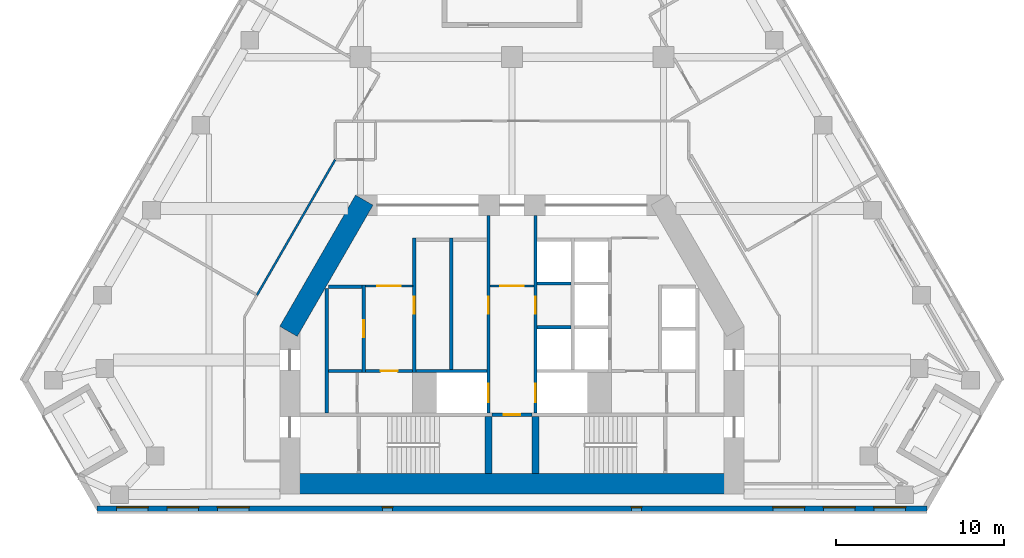
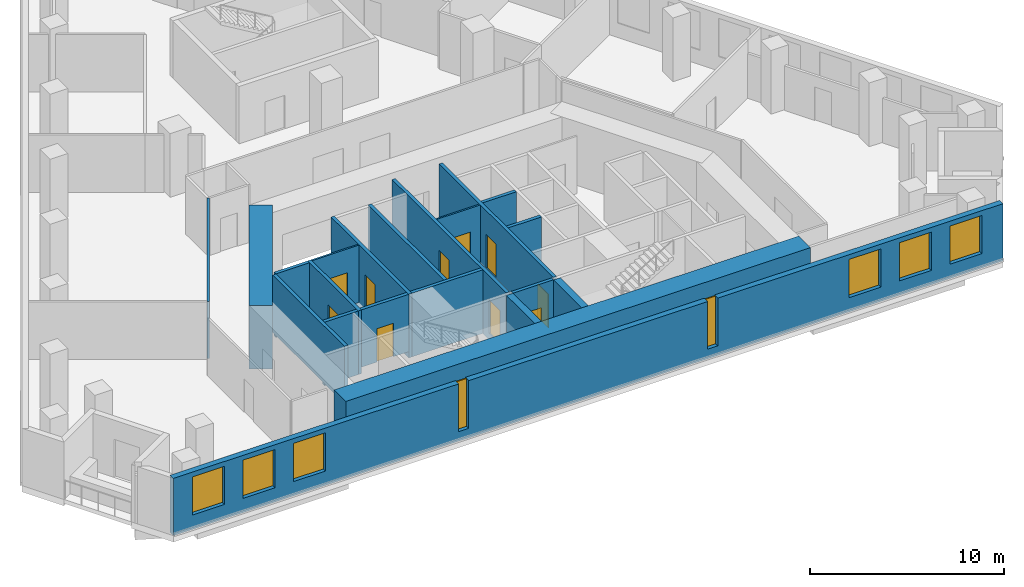
# One storey, part 4 of 9: 21 walls, 10 doors, 8 windows, 18 openings.
"""IFC4 building model written with IfcOpenShell, lengths in metres."""

from ifc_helpers import new_model, si_unit, direction, frame, frame_2d, origin, place, context, subcontext, project, spatial, rectangle, extrude, material, layer, layer_set, type_object, element, fill, save


model = new_model("IFC4")

# Units and contexts
model_context = context("Model", 3, precision=1e-05, world=origin(), true_north=direction((0.0, 1.0)))
body_context = subcontext(model_context, "Body", "Model", "MODEL_VIEW")
ifc_project = project(units=[si_unit("LENGTHUNIT", "METRE"), si_unit("AREAUNIT", "SQUARE_METRE"), si_unit("VOLUMEUNIT", "CUBIC_METRE"), si_unit("PLANEANGLEUNIT", "RADIAN"), si_unit("MASSUNIT", "GRAM", prefix="KILO")], contexts=[model_context])

# Site, building, storey
site_placement = place(None, origin())
site = spatial("IfcSite", under=ifc_project, at=site_placement, CompositionType="ELEMENT")
building_placement = place(site_placement, origin())
building = spatial("IfcBuilding", under=site, at=building_placement, Name="Fogline Exchange Tower", CompositionType="ELEMENT")
storey_placement = place(building_placement, frame((0.0, 0.0, 142.89990234375)))
storey = spatial("IfcBuildingStorey", under=building, at=storey_placement, Name="L31", CompositionType="ELEMENT", Elevation=142.89990234375)

# Wall, opening, door
ifc_material_1 = material(Name="Blockwork partition", Category="masonry")
ifc_layer_1 = layer(ifc_material_1, 0.10009765625)
ifc_layer_set_1 = layer_set([ifc_layer_1], Name="CW10")
wall_type_1 = type_object("IfcWallType", Name="CW10", PredefinedType="PARTITIONING", material=ifc_layer_set_1)
wall_1_placement = place(storey_placement, frame((-8.699951171875, 13.39990234375, 0.0), z_axis=(0.0, 0.0, 1.0), x_axis=(1.0, 0.0, 0.0)))
wall_1 = element("IfcWall", 1, at=wall_1_placement, inside=storey, type_object=wall_type_1, Name="Lift lobby partition", PredefinedType="PARTITIONING", context=body_context, shape_type="SweptSolid", body=[
    extrude(rectangle(XDim=2.800048828125, YDim=0.10009765625, at=frame_2d((1.39990234375, 0.0))), origin(), (0.0, 0.0, 1.0), 3.60009765625),
])
opening_1_placement = place(wall_1_placement, frame((0.699951171875, 0.0, 0.0)))
opening_1 = element("IfcOpeningElement", 2, at=opening_1_placement, cuts=wall_1, Name="Opening T10-C006", PredefinedType="OPENING", context=body_context, shape_type="SweptSolid", body=[
    extrude(rectangle(XDim=1.39990234375, YDim=2.10009765625, at=frame_2d((0.699951171875, 1.050048828125))), frame((0.0, 0.06005859375, 0.0), z_axis=(0.0, -1.0, 0.0), x_axis=(1.0, 0.0, 0.0)), (0.0, 0.0, 1.0), 0.1201171875),
])
ifc_material_2 = material(Name="Steel and timber fire door", Category="steel")
door_type_1 = type_object("IfcDoorType", Name="D-LB1", OperationType="DOUBLE_DOOR_SINGLE_SWING", PredefinedType="DOOR", material=ifc_material_2)
door_1_placement = place(opening_1_placement, frame((1.39990234375, 0.0, 0.0), z_axis=(0.0, 0.0, 1.0), x_axis=(-1.0, 0.0, 0.0)))
door_1 = element("IfcDoor", 3, at=door_1_placement, inside=storey, type_object=door_type_1, Name="Door to lift lobby", OperationType="DOUBLE_DOOR_SINGLE_SWING", OverallHeight=2.10009765625, OverallWidth=1.39990234375, PredefinedType="DOOR", context=body_context, shape_type="SweptSolid", body=[
    extrude(rectangle(XDim=1.39990234375, YDim=2.10009765625, at=frame_2d((0.699951171875, 1.050048828125))), frame((0.0, 0.02490234375, 0.0), z_axis=(0.0, -1.0, 0.0), x_axis=(1.0, 0.0, 0.0)), (0.0, 0.0, 1.0), 0.050048828125),
])
fill(opening_1, door_1)

wall_2_placement = place(storey_placement, frame((-1.300048828125, 13.39990234375, 0.0), z_axis=(0.0, 0.0, 1.0), x_axis=(1.0, 0.0, 0.0)))
wall_2 = element("IfcWall", 4, at=wall_2_placement, inside=storey, type_object=wall_type_1, Name="Lift lobby partition", PredefinedType="PARTITIONING", context=body_context, shape_type="SweptSolid", body=[
    extrude(rectangle(XDim=2.60009765625, YDim=0.10009765625, at=frame_2d((1.300048828125, 0.0))), origin(), (0.0, 0.0, 1.0), 3.60009765625),
])
opening_2_placement = place(wall_2_placement, frame((0.60009765625, 0.0, 0.0)))
opening_2 = element("IfcOpeningElement", 5, at=opening_2_placement, cuts=wall_2, Name="Opening T10-C018", PredefinedType="OPENING", context=body_context, shape_type="SweptSolid", body=[
    extrude(rectangle(XDim=1.39990234375, YDim=2.10009765625, at=frame_2d((0.699951171875, 1.050048828125))), frame((0.0, 0.06005859375, 0.0), z_axis=(0.0, -1.0, 0.0), x_axis=(1.0, 0.0, 0.0)), (0.0, 0.0, 1.0), 0.1201171875),
])
door_2_placement = place(opening_2_placement, origin())
door_2 = element("IfcDoor", 6, at=door_2_placement, inside=storey, type_object=door_type_1, Name="Door to firefighting lift lobby", OperationType="DOUBLE_DOOR_SINGLE_SWING", OverallHeight=2.10009765625, OverallWidth=1.39990234375, PredefinedType="DOOR", context=body_context, shape_type="SweptSolid", body=[
    extrude(rectangle(XDim=1.39990234375, YDim=2.10009765625, at=frame_2d((0.699951171875, 1.050048828125))), frame((0.0, 0.02490234375, 0.0), z_axis=(0.0, -1.0, 0.0), x_axis=(1.0, 0.0, 0.0)), (0.0, 0.0, 1.0), 0.050048828125),
])
fill(opening_2, door_2)

# Wall
ifc_material_3 = material(Name="Concrete C40", Category="concrete")
ifc_layer_2 = layer(ifc_material_3, 0.199951171875)
ifc_layer_set_2 = layer_set([ifc_layer_2], Name="CW20")
wall_type_2 = type_object("IfcWallType", Name="CW20", PredefinedType="SOLIDWALL", material=ifc_layer_set_2)
wall_3_placement = place(storey_placement, frame((-11.0, 5.85009765625, 0.0), z_axis=(0.0, 0.0, 1.0), x_axis=(0.0, 1.0, 0.0)))
element("IfcWall", 7, at=wall_3_placement, inside=storey, type_object=wall_type_2, Name="Service room wall", PredefinedType="SOLIDWALL", context=body_context, shape_type="SweptSolid", body=[
    extrude(rectangle(XDim=7.39990234375, YDim=0.199951171875, at=frame_2d((3.699951171875, 0.0))), origin(), (0.0, 0.0, 1.0), 3.60009765625),
])

# Wall, opening, door
wall_4_placement = place(storey_placement, frame((-8.699951171875, 8.35009765625, 0.0), z_axis=(0.0, 0.0, 1.0), x_axis=(1.0, 0.0, 0.0)))
wall_4 = element("IfcWall", 8, at=wall_4_placement, inside=storey, type_object=wall_type_2, Name="WC wall", PredefinedType="SOLIDWALL", context=body_context, shape_type="SweptSolid", body=[
    extrude(rectangle(XDim=2.800048828125, YDim=0.199951171875, at=frame_2d((1.39990234375, 0.0))), origin(), (0.0, 0.0, 1.0), 3.60009765625),
])
opening_3_placement = place(wall_4_placement, frame((0.89990234375, 0.0, 0.0)))
opening_3 = element("IfcOpeningElement", 9, at=opening_3_placement, cuts=wall_4, Name="Opening T10-C007", PredefinedType="OPENING", context=body_context, shape_type="SweptSolid", body=[
    extrude(rectangle(XDim=1.0, YDim=2.10009765625, at=frame_2d((0.5, 1.050048828125))), frame((0.0, 0.10986328125, 0.0), z_axis=(0.0, -1.0, 0.0), x_axis=(1.0, 0.0, 0.0)), (0.0, 0.0, 1.0), 0.219970703125),
])
door_type_2 = type_object("IfcDoorType", Name="D-WC1", OperationType="SINGLE_SWING_LEFT", PredefinedType="DOOR", material=ifc_material_2)
door_3_placement = place(opening_3_placement, frame((1.0, 0.0, 0.0), z_axis=(0.0, 0.0, 1.0), x_axis=(-1.0, 0.0, 0.0)))
door_3 = element("IfcDoor", 10, at=door_3_placement, inside=storey, type_object=door_type_2, Name="Door to Men's WC", OperationType="SINGLE_SWING_LEFT", OverallHeight=2.10009765625, OverallWidth=1.0, PredefinedType="DOOR", context=body_context, shape_type="SweptSolid", body=[
    extrude(rectangle(XDim=1.0, YDim=2.10009765625, at=frame_2d((0.5, 1.050048828125))), frame((0.0, 0.02490234375, 0.0), z_axis=(0.0, -1.0, 0.0), x_axis=(1.0, 0.0, 0.0)), (0.0, 0.0, 1.0), 0.050048828125),
])
fill(opening_3, door_3)

ifc_layer_3 = layer(ifc_material_3, 0.199951171875)
ifc_layer_set_3 = layer_set([ifc_layer_3], Name="CW20R")
wall_type_3 = type_object("IfcWallType", Name="CW20R", PredefinedType="SOLIDWALL", material=ifc_layer_set_3)
wall_5_placement = place(storey_placement, frame((-1.199951171875, 5.75, -0.39990234375), z_axis=(0.0, 0.0, 1.0), x_axis=(1.0, 0.0, 0.0)))
wall_5 = element("IfcWall", 11, at=wall_5_placement, inside=storey, type_object=wall_type_3, Name="Stair enclosure wall", PredefinedType="SOLIDWALL", context=body_context, shape_type="SweptSolid", body=[
    extrude(rectangle(XDim=2.39990234375, YDim=0.199951171875, at=frame_2d((1.199951171875, 0.0))), origin(), (0.0, 0.0, 1.0), 4.0),
])
opening_4_placement = place(wall_5_placement, frame((0.699951171875, 0.0, 0.39990234375)))
opening_4 = element("IfcOpeningElement", 12, at=opening_4_placement, cuts=wall_5, Name="Opening T10-C005", PredefinedType="OPENING", context=body_context, shape_type="SweptSolid", body=[
    extrude(rectangle(XDim=1.0, YDim=2.10009765625, at=frame_2d((0.5, 1.050048828125))), frame((0.0, 0.10986328125, 0.0), z_axis=(0.0, -1.0, 0.0), x_axis=(1.0, 0.0, 0.0)), (0.0, 0.0, 1.0), 0.219970703125),
])
door_type_3 = type_object("IfcDoorType", Name="D-RM1", OperationType="SINGLE_SWING_LEFT", PredefinedType="DOOR", material=ifc_material_2)
door_4_placement = place(opening_4_placement, frame((1.0, 0.0, 0.0), z_axis=(0.0, 0.0, 1.0), x_axis=(-1.0, 0.0, 0.0)))
door_4 = element("IfcDoor", 13, at=door_4_placement, inside=storey, type_object=door_type_3, Name="Door to Archive Store", OperationType="SINGLE_SWING_RIGHT", OverallHeight=2.10009765625, OverallWidth=1.0, PredefinedType="DOOR", context=body_context, shape_type="SweptSolid", body=[
    extrude(rectangle(XDim=1.0, YDim=2.10009765625, at=frame_2d((0.5, 1.050048828125))), frame((0.0, 0.02490234375, 0.0), z_axis=(0.0, -1.0, 0.0), x_axis=(1.0, 0.0, 0.0)), (0.0, 0.0, 1.0), 0.050048828125),
])
fill(opening_4, door_4)

ifc_layer_4 = layer(ifc_material_3, 0.199951171875)
ifc_layer_set_4 = layer_set([ifc_layer_4], Name="CW20S")
wall_type_4 = type_object("IfcWallType", Name="CW20S", PredefinedType="SOLIDWALL", material=ifc_layer_set_4)
wall_6_placement = place(storey_placement, frame((-8.800048828125, 8.25, -0.39990234375), z_axis=(0.0, 0.0, 1.0), x_axis=(0.0, 1.0, 0.0)))
wall_6 = element("IfcWall", 14, at=wall_6_placement, inside=storey, type_object=wall_type_4, Name="Lift shaft wall", PredefinedType="SOLIDWALL", context=body_context, shape_type="SweptSolid", body=[
    extrude(rectangle(XDim=5.199951171875, YDim=0.199951171875, at=frame_2d((2.60009765625, 0.0))), origin(), (0.0, 0.0, 1.0), 4.0),
])
opening_5_placement = place(wall_6_placement, frame((2.10009765625, 0.0, 0.39990234375)))
opening_5 = element("IfcOpeningElement", 15, at=opening_5_placement, cuts=wall_6, Name="Opening T10-C001", PredefinedType="OPENING", context=body_context, shape_type="SweptSolid", body=[
    extrude(rectangle(XDim=1.0, YDim=2.10009765625, at=frame_2d((0.5, 1.050048828125))), frame((0.0, 0.10986328125, 0.0), z_axis=(0.0, -1.0, 0.0), x_axis=(1.0, 0.0, 0.0)), (0.0, 0.0, 1.0), 0.219970703125),
])
door_5_placement = place(opening_5_placement, origin())
door_5 = element("IfcDoor", 16, at=door_5_placement, inside=storey, type_object=door_type_3, Name="Door to Reprographics Room", OperationType="SINGLE_SWING_RIGHT", OverallHeight=2.10009765625, OverallWidth=1.0, PredefinedType="DOOR", context=body_context, shape_type="SweptSolid", body=[
    extrude(rectangle(XDim=1.0, YDim=2.10009765625, at=frame_2d((0.5, 1.050048828125))), frame((0.0, 0.02490234375, 0.0), z_axis=(0.0, -1.0, 0.0), x_axis=(1.0, 0.0, 0.0)), (0.0, 0.0, 1.0), 0.050048828125),
])
fill(opening_5, door_5)

wall_7_placement = place(storey_placement, frame((-5.800048828125, 8.25, -0.39990234375), z_axis=(0.0, 0.0, 1.0), x_axis=(0.0, 1.0, 0.0)))
wall_7 = element("IfcWall", 17, at=wall_7_placement, inside=storey, type_object=wall_type_4, Name="Lift shaft wall", PredefinedType="SOLIDWALL", context=body_context, shape_type="SweptSolid", body=[
    extrude(rectangle(XDim=8.0, YDim=0.199951171875, at=frame_2d((4.0, 0.0))), origin(), (0.0, 0.0, 1.0), 4.0),
])
opening_6_placement = place(wall_7_placement, frame((3.5, 0.0, 0.39990234375)))
opening_6 = element("IfcOpeningElement", 18, at=opening_6_placement, cuts=wall_7, Name="Opening T10-C002", PredefinedType="OPENING", context=body_context, shape_type="SweptSolid", body=[
    extrude(rectangle(XDim=1.0, YDim=2.10009765625, at=frame_2d((0.5, 1.050048828125))), frame((0.0, 0.10986328125, 0.0), z_axis=(0.0, -1.0, 0.0), x_axis=(1.0, 0.0, 0.0)), (0.0, 0.0, 1.0), 0.219970703125),
])
door_6_placement = place(opening_6_placement, frame((1.0, 0.0, 0.0), z_axis=(0.0, 0.0, 1.0), x_axis=(-1.0, 0.0, 0.0)))
door_6 = element("IfcDoor", 19, at=door_6_placement, inside=storey, type_object=door_type_3, Name="Door to Plant Room", OperationType="SINGLE_SWING_RIGHT", OverallHeight=2.10009765625, OverallWidth=1.0, PredefinedType="DOOR", context=body_context, shape_type="SweptSolid", body=[
    extrude(rectangle(XDim=1.0, YDim=2.10009765625, at=frame_2d((0.5, 1.050048828125))), frame((0.0, 0.02490234375, 0.0), z_axis=(0.0, -1.0, 0.0), x_axis=(1.0, 0.0, 0.0)), (0.0, 0.0, 1.0), 0.050048828125),
])
fill(opening_6, door_6)

# Wall
wall_8_placement = place(storey_placement, frame((-3.60009765625, 8.449951171875, -0.39990234375), z_axis=(0.0, 0.0, 1.0), x_axis=(0.0, 1.0, 0.0)))
element("IfcWall", 20, at=wall_8_placement, inside=storey, type_object=wall_type_4, Name="Lift shaft wall", PredefinedType="SOLIDWALL", context=body_context, shape_type="SweptSolid", body=[
    extrude(rectangle(XDim=7.800048828125, YDim=0.199951171875, at=frame_2d((3.89990234375, 0.0))), origin(), (0.0, 0.0, 1.0), 4.0),
])

# Wall, openings, doors
wall_9_placement = place(storey_placement, frame((-1.39990234375, 5.85009765625, -0.39990234375), z_axis=(0.0, 0.0, 1.0), x_axis=(0.0, 1.0, 0.0)))
wall_9 = element("IfcWall", 21, at=wall_9_placement, inside=storey, type_object=wall_type_4, Name="Lift lobby wall", PredefinedType="SOLIDWALL", context=body_context, shape_type="SweptSolid", body=[
    extrude(rectangle(XDim=11.75, YDim=0.199951171875, at=frame_2d((5.875, 0.0))), origin(), (0.0, 0.0, 1.0), 4.0),
])
opening_7_placement = place(wall_9_placement, frame((0.64990234375, 0.0, 0.39990234375)))
opening_7 = element("IfcOpeningElement", 22, at=opening_7_placement, cuts=wall_9, Name="Opening T10-LD01", PredefinedType="OPENING", context=body_context, shape_type="SweptSolid", body=[
    extrude(rectangle(XDim=1.10009765625, YDim=2.10009765625, at=frame_2d((0.550048828125, 1.050048828125))), frame((0.0, 0.10986328125, 0.0), z_axis=(0.0, -1.0, 0.0), x_axis=(1.0, 0.0, 0.0)), (0.0, 0.0, 1.0), 0.219970703125),
])
opening_8_placement = place(wall_9_placement, frame((5.89990234375, 0.0, 0.39990234375)))
opening_8 = element("IfcOpeningElement", 23, at=opening_8_placement, cuts=wall_9, Name="Opening T10-C003", PredefinedType="OPENING", context=body_context, shape_type="SweptSolid", body=[
    extrude(rectangle(XDim=1.0, YDim=2.10009765625, at=frame_2d((0.5, 1.050048828125))), frame((0.0, 0.10986328125, 0.0), z_axis=(0.0, -1.0, 0.0), x_axis=(1.0, 0.0, 0.0)), (0.0, 0.0, 1.0), 0.219970703125),
])
door_7_placement = place(opening_8_placement, origin())
door_7 = element("IfcDoor", 24, at=door_7_placement, inside=storey, type_object=door_type_3, Name="Door to Archive", OperationType="SINGLE_SWING_LEFT", OverallHeight=2.10009765625, OverallWidth=1.0, PredefinedType="DOOR", context=body_context, shape_type="SweptSolid", body=[
    extrude(rectangle(XDim=1.0, YDim=2.10009765625, at=frame_2d((0.5, 1.050048828125))), frame((0.0, 0.02490234375, 0.0), z_axis=(0.0, -1.0, 0.0), x_axis=(1.0, 0.0, 0.0)), (0.0, 0.0, 1.0), 0.050048828125),
])
fill(opening_8, door_7)
door_type_4 = type_object("IfcDoorType", Name="LD2", OperationType="SLIDING_TO_RIGHT", PredefinedType="DOOR", material=ifc_material_2)
door_8_placement = place(opening_7_placement, origin())
door_8 = element("IfcDoor", 25, at=door_8_placement, inside=storey, type_object=door_type_4, Name="Landing door FF1", OperationType="SLIDING_TO_RIGHT", OverallHeight=2.10009765625, OverallWidth=1.10009765625, PredefinedType="DOOR", context=body_context, shape_type="SweptSolid", body=[
    extrude(rectangle(XDim=1.10009765625, YDim=2.10009765625, at=frame_2d((0.550048828125, 1.050048828125))), frame((0.0, 0.02490234375, 0.0), z_axis=(0.0, -1.0, 0.0), x_axis=(1.0, 0.0, 0.0)), (0.0, 0.0, 1.0), 0.050048828125),
])
fill(opening_7, door_8)

wall_10_placement = place(storey_placement, frame((1.39990234375, 5.85009765625, -0.39990234375), z_axis=(0.0, 0.0, 1.0), x_axis=(0.0, 1.0, 0.0)))
wall_10 = element("IfcWall", 26, at=wall_10_placement, inside=storey, type_object=wall_type_4, Name="Lift lobby wall", PredefinedType="SOLIDWALL", context=body_context, shape_type="SweptSolid", body=[
    extrude(rectangle(XDim=11.75, YDim=0.199951171875, at=frame_2d((5.875, 0.0))), origin(), (0.0, 0.0, 1.0), 4.0),
])
opening_9_placement = place(wall_10_placement, frame((0.64990234375, 0.0, 0.39990234375)))
opening_9 = element("IfcOpeningElement", 27, at=opening_9_placement, cuts=wall_10, Name="Opening T10-LD05", PredefinedType="OPENING", context=body_context, shape_type="SweptSolid", body=[
    extrude(rectangle(XDim=1.10009765625, YDim=2.10009765625, at=frame_2d((0.550048828125, 1.050048828125))), frame((0.0, 0.10986328125, 0.0), z_axis=(0.0, -1.0, 0.0), x_axis=(1.0, 0.0, 0.0)), (0.0, 0.0, 1.0), 0.219970703125),
])
opening_10_placement = place(wall_10_placement, frame((5.89990234375, 0.0, 0.39990234375)))
opening_10 = element("IfcOpeningElement", 28, at=opening_10_placement, cuts=wall_10, Name="Opening T10-C004", PredefinedType="OPENING", context=body_context, shape_type="SweptSolid", body=[
    extrude(rectangle(XDim=1.0, YDim=2.10009765625, at=frame_2d((0.5, 1.050048828125))), frame((0.0, 0.10986328125, 0.0), z_axis=(0.0, -1.0, 0.0), x_axis=(1.0, 0.0, 0.0)), (0.0, 0.0, 1.0), 0.219970703125),
])
door_9_placement = place(opening_10_placement, frame((1.0, 0.0, 0.0), z_axis=(0.0, 0.0, 1.0), x_axis=(-1.0, 0.0, 0.0)))
door_9 = element("IfcDoor", 29, at=door_9_placement, inside=storey, type_object=door_type_3, Name="Door to Library Store", OperationType="SINGLE_SWING_RIGHT", OverallHeight=2.10009765625, OverallWidth=1.0, PredefinedType="DOOR", context=body_context, shape_type="SweptSolid", body=[
    extrude(rectangle(XDim=1.0, YDim=2.10009765625, at=frame_2d((0.5, 1.050048828125))), frame((0.0, 0.02490234375, 0.0), z_axis=(0.0, -1.0, 0.0), x_axis=(1.0, 0.0, 0.0)), (0.0, 0.0, 1.0), 0.050048828125),
])
fill(opening_10, door_9)
door_10_placement = place(opening_9_placement, origin())
door_10 = element("IfcDoor", 30, at=door_10_placement, inside=storey, type_object=door_type_4, Name="Landing door FF2", OperationType="SLIDING_TO_RIGHT", OverallHeight=2.10009765625, OverallWidth=1.10009765625, PredefinedType="DOOR", context=body_context, shape_type="SweptSolid", body=[
    extrude(rectangle(XDim=1.10009765625, YDim=2.10009765625, at=frame_2d((0.550048828125, 1.050048828125))), frame((0.0, 0.02490234375, 0.0), z_axis=(0.0, -1.0, 0.0), x_axis=(1.0, 0.0, 0.0)), (0.0, 0.0, 1.0), 0.050048828125),
])
fill(opening_9, door_10)

# Walls
wall_11_placement = place(storey_placement, frame((-10.89990234375, 8.35009765625, -0.39990234375), z_axis=(0.0, 0.0, 1.0), x_axis=(1.0, 0.0, 0.0)))
element("IfcWall", 31, at=wall_11_placement, inside=storey, type_object=wall_type_4, Name="Lift shaft wall", PredefinedType="SOLIDWALL", context=body_context, shape_type="SweptSolid", body=[
    extrude(rectangle(XDim=2.0, YDim=0.199951171875, at=frame_2d((1.0, 0.0))), origin(), (0.0, 0.0, 1.0), 4.0),
])
wall_12_placement = place(storey_placement, frame((-5.699951171875, 8.35009765625, -0.39990234375), z_axis=(0.0, 0.0, 1.0), x_axis=(1.0, 0.0, 0.0)))
element("IfcWall", 32, at=wall_12_placement, inside=storey, type_object=wall_type_4, Name="Lift shaft wall", PredefinedType="SOLIDWALL", context=body_context, shape_type="SweptSolid", body=[
    extrude(rectangle(XDim=4.199951171875, YDim=0.199951171875, at=frame_2d((2.10009765625, 0.0))), origin(), (0.0, 0.0, 1.0), 4.0),
])
for number, where, z_axis, x_axis, name in (
    (33, (-10.89990234375, 13.35009765625, -0.39990234375), (0.0, 0.0, 1.0), (1.0, 0.0, 0.0), "Lift shaft wall"),
    (34, (1.5, 10.949951171875, -0.39990234375), (0.0, 0.0, 1.0), (1.0, 0.0, 0.0), "Lift shaft wall"),
    (35, (1.5, 13.550048828125, -0.39990234375), (0.0, 0.0, 1.0), (1.0, 0.0, 0.0), "Lift shaft wall"),
):
    element("IfcWall", number, at=place(storey_placement, frame(where, z_axis=z_axis, x_axis=x_axis)), inside=storey, type_object=wall_type_4, Name=name, PredefinedType="SOLIDWALL", context=body_context, shape_type="SweptSolid", body=[
        extrude(rectangle(XDim=2.0, YDim=0.199951171875, at=frame_2d((1.0, 0.0))), origin(), (0.0, 0.0, 1.0), 4.0),
    ])
ifc_layer_5 = layer(ifc_material_3, 0.39990234375)
ifc_layer_set_5 = layer_set([ifc_layer_5], Name="CW40R")
wall_type_5 = type_object("IfcWallType", Name="CW40R", PredefinedType="SOLIDWALL", material=ifc_layer_set_5)
for number, where, z_axis, x_axis, name in (
    (36, (-1.39990234375, 2.25, -0.39990234375), (0.0, 0.0, 1.0), (0.0, 1.0, 0.0), "Stair and lift shaft wall"),
    (37, (1.39990234375, 2.25, -0.39990234375), (0.0, 0.0, 1.0), (0.0, 1.0, 0.0), "Stair and lift shaft wall"),
):
    element("IfcWall", number, at=place(storey_placement, frame(where, z_axis=z_axis, x_axis=x_axis)), inside=storey, type_object=wall_type_5, Name=name, PredefinedType="SOLIDWALL", context=body_context, shape_type="SweptSolid", body=[
        extrude(rectangle(XDim=3.39990234375, YDim=0.39990234375, at=frame_2d((1.699951171875, 0.0))), origin(), (0.0, 0.0, 1.0), 4.0),
    ])

# Wall, openings, windows
ifc_material_4 = material(Name="Brick masonry", Category="masonry")
ifc_layer_6 = layer(ifc_material_4, 0.340087890625)
ifc_layer_set_6 = layer_set([ifc_layer_6], Name="FW1")
wall_type_6 = type_object("IfcWallType", Name="FW1", PredefinedType="SOLIDWALL", material=ifc_layer_set_6)
wall_13_placement = place(storey_placement, frame((-24.6484375, 0.169921875, 0.0), z_axis=(0.0, 0.0, 1.0), x_axis=(1.0, 0.0, 0.0)))
wall_13 = element("IfcWall", 38, at=wall_13_placement, inside=storey, type_object=wall_type_6, Name="Brick wall L31 S", PredefinedType="SOLIDWALL", context=body_context, shape_type="SweptSolid", body=[
    extrude(rectangle(XDim=49.296875, YDim=0.340087890625, at=frame_2d((24.6484375, 0.0))), origin(), (0.0, 0.0, 1.0), 3.60009765625),
])
opening_11_placement = place(wall_13_placement, frame((1.1484375, 0.0, 0.89990234375)))
opening_11 = element("IfcOpeningElement", 39, at=opening_11_placement, cuts=wall_13, Name="Opening W1", PredefinedType="OPENING", context=body_context, shape_type="SweptSolid", body=[
    extrude(rectangle(XDim=1.885009765625, YDim=2.39990234375, at=frame_2d((0.9423828125, 1.199951171875))), frame((0.0, 0.18017578125, 0.0), z_axis=(0.0, -1.0, 0.0), x_axis=(1.0, 0.0, 0.0)), (0.0, 0.0, 1.0), 0.360107421875),
])
opening_12_placement = place(wall_13_placement, frame((4.1484375, 0.0, 0.89990234375)))
opening_12 = element("IfcOpeningElement", 40, at=opening_12_placement, cuts=wall_13, Name="Opening W1", PredefinedType="OPENING", context=body_context, shape_type="SweptSolid", body=[
    extrude(rectangle(XDim=1.885009765625, YDim=2.39990234375, at=frame_2d((0.9423828125, 1.199951171875))), frame((0.0, 0.18017578125, 0.0), z_axis=(0.0, -1.0, 0.0), x_axis=(1.0, 0.0, 0.0)), (0.0, 0.0, 1.0), 0.360107421875),
])
opening_13_placement = place(wall_13_placement, frame((7.1484375, 0.0, 0.89990234375)))
opening_13 = element("IfcOpeningElement", 41, at=opening_13_placement, cuts=wall_13, Name="Opening W1", PredefinedType="OPENING", context=body_context, shape_type="SweptSolid", body=[
    extrude(rectangle(XDim=1.885009765625, YDim=2.39990234375, at=frame_2d((0.9423828125, 1.199951171875))), frame((0.0, 0.18017578125, 0.0), z_axis=(0.0, -1.0, 0.0), x_axis=(1.0, 0.0, 0.0)), (0.0, 0.0, 1.0), 0.360107421875),
])
opening_14_placement = place(wall_13_placement, frame((40.1484375, 0.0, 0.89990234375)))
opening_14 = element("IfcOpeningElement", 42, at=opening_14_placement, cuts=wall_13, Name="Opening W1", PredefinedType="OPENING", context=body_context, shape_type="SweptSolid", body=[
    extrude(rectangle(XDim=1.885009765625, YDim=2.39990234375, at=frame_2d((0.9423828125, 1.199951171875))), frame((0.0, 0.18017578125, 0.0), z_axis=(0.0, -1.0, 0.0), x_axis=(1.0, 0.0, 0.0)), (0.0, 0.0, 1.0), 0.360107421875),
])
opening_15_placement = place(wall_13_placement, frame((43.1484375, 0.0, 0.89990234375)))
opening_15 = element("IfcOpeningElement", 43, at=opening_15_placement, cuts=wall_13, Name="Opening W1", PredefinedType="OPENING", context=body_context, shape_type="SweptSolid", body=[
    extrude(rectangle(XDim=1.885009765625, YDim=2.39990234375, at=frame_2d((0.9423828125, 1.199951171875))), frame((0.0, 0.18017578125, 0.0), z_axis=(0.0, -1.0, 0.0), x_axis=(1.0, 0.0, 0.0)), (0.0, 0.0, 1.0), 0.360107421875),
])
opening_16_placement = place(wall_13_placement, frame((46.1484375, 0.0, 0.89990234375)))
opening_16 = element("IfcOpeningElement", 44, at=opening_16_placement, cuts=wall_13, Name="Opening W1", PredefinedType="OPENING", context=body_context, shape_type="SweptSolid", body=[
    extrude(rectangle(XDim=1.885009765625, YDim=2.39990234375, at=frame_2d((0.9423828125, 1.199951171875))), frame((0.0, 0.18017578125, 0.0), z_axis=(0.0, -1.0, 0.0), x_axis=(1.0, 0.0, 0.0)), (0.0, 0.0, 1.0), 0.360107421875),
])
opening_17_placement = place(wall_13_placement, frame((16.948486328125, 0.0, 0.60009765625)))
opening_17 = element("IfcOpeningElement", 45, at=opening_17_placement, cuts=wall_13, Name="Opening W5", PredefinedType="OPENING", context=body_context, shape_type="SweptSolid", body=[
    extrude(rectangle(XDim=0.60009765625, YDim=3.0, at=frame_2d((0.300048828125, 1.5))), frame((0.0, 0.18017578125, 0.0), z_axis=(0.0, -1.0, 0.0), x_axis=(1.0, 0.0, 0.0)), (0.0, 0.0, 1.0), 0.360107421875),
])
opening_18_placement = place(wall_13_placement, frame((31.74853515625, 0.0, 0.60009765625)))
opening_18 = element("IfcOpeningElement", 46, at=opening_18_placement, cuts=wall_13, Name="Opening W5", PredefinedType="OPENING", context=body_context, shape_type="SweptSolid", body=[
    extrude(rectangle(XDim=0.60009765625, YDim=3.0, at=frame_2d((0.300048828125, 1.5))), frame((0.0, 0.18017578125, 0.0), z_axis=(0.0, -1.0, 0.0), x_axis=(1.0, 0.0, 0.0)), (0.0, 0.0, 1.0), 0.360107421875),
])
ifc_material_5 = material(Name="Aluminium and glass", Category="aluminium")
window_type_1 = type_object("IfcWindowType", Name="W1", PartitioningType="SINGLE_PANEL", PredefinedType="WINDOW", material=ifc_material_5)
window_1_placement = place(opening_11_placement, origin())
window_1 = element("IfcWindow", 47, at=window_1_placement, inside=storey, type_object=window_type_1, Name="W1 W1", OverallHeight=2.39990234375, OverallWidth=1.885009765625, PartitioningType="SINGLE_PANEL", PredefinedType="WINDOW", context=body_context, shape_type="SweptSolid", body=[
    extrude(rectangle(XDim=1.885009765625, YDim=2.39990234375, at=frame_2d((0.9423828125, 1.199951171875))), frame((0.0, 0.110107421875, 0.0), z_axis=(0.0, -1.0, 0.0), x_axis=(1.0, 0.0, 0.0)), (0.0, 0.0, 1.0), 0.06005859375),
])
fill(opening_11, window_1)
window_2_placement = place(opening_12_placement, origin())
window_2 = element("IfcWindow", 48, at=window_2_placement, inside=storey, type_object=window_type_1, Name="W1 W1", OverallHeight=2.39990234375, OverallWidth=1.885009765625, PartitioningType="SINGLE_PANEL", PredefinedType="WINDOW", context=body_context, shape_type="SweptSolid", body=[
    extrude(rectangle(XDim=1.885009765625, YDim=2.39990234375, at=frame_2d((0.9423828125, 1.199951171875))), frame((0.0, 0.110107421875, 0.0), z_axis=(0.0, -1.0, 0.0), x_axis=(1.0, 0.0, 0.0)), (0.0, 0.0, 1.0), 0.06005859375),
])
fill(opening_12, window_2)
window_3_placement = place(opening_13_placement, origin())
window_3 = element("IfcWindow", 49, at=window_3_placement, inside=storey, type_object=window_type_1, Name="W1 W1", OverallHeight=2.39990234375, OverallWidth=1.885009765625, PartitioningType="SINGLE_PANEL", PredefinedType="WINDOW", context=body_context, shape_type="SweptSolid", body=[
    extrude(rectangle(XDim=1.885009765625, YDim=2.39990234375, at=frame_2d((0.9423828125, 1.199951171875))), frame((0.0, 0.110107421875, 0.0), z_axis=(0.0, -1.0, 0.0), x_axis=(1.0, 0.0, 0.0)), (0.0, 0.0, 1.0), 0.06005859375),
])
fill(opening_13, window_3)
window_4_placement = place(opening_14_placement, origin())
window_4 = element("IfcWindow", 50, at=window_4_placement, inside=storey, type_object=window_type_1, Name="W1 W1", OverallHeight=2.39990234375, OverallWidth=1.885009765625, PartitioningType="SINGLE_PANEL", PredefinedType="WINDOW", context=body_context, shape_type="SweptSolid", body=[
    extrude(rectangle(XDim=1.885009765625, YDim=2.39990234375, at=frame_2d((0.9423828125, 1.199951171875))), frame((0.0, 0.110107421875, 0.0), z_axis=(0.0, -1.0, 0.0), x_axis=(1.0, 0.0, 0.0)), (0.0, 0.0, 1.0), 0.06005859375),
])
fill(opening_14, window_4)
window_5_placement = place(opening_15_placement, origin())
window_5 = element("IfcWindow", 51, at=window_5_placement, inside=storey, type_object=window_type_1, Name="W1 W1", OverallHeight=2.39990234375, OverallWidth=1.885009765625, PartitioningType="SINGLE_PANEL", PredefinedType="WINDOW", context=body_context, shape_type="SweptSolid", body=[
    extrude(rectangle(XDim=1.885009765625, YDim=2.39990234375, at=frame_2d((0.9423828125, 1.199951171875))), frame((0.0, 0.110107421875, 0.0), z_axis=(0.0, -1.0, 0.0), x_axis=(1.0, 0.0, 0.0)), (0.0, 0.0, 1.0), 0.06005859375),
])
fill(opening_15, window_5)
window_6_placement = place(opening_16_placement, origin())
window_6 = element("IfcWindow", 52, at=window_6_placement, inside=storey, type_object=window_type_1, Name="W1 W1", OverallHeight=2.39990234375, OverallWidth=1.885009765625, PartitioningType="SINGLE_PANEL", PredefinedType="WINDOW", context=body_context, shape_type="SweptSolid", body=[
    extrude(rectangle(XDim=1.885009765625, YDim=2.39990234375, at=frame_2d((0.9423828125, 1.199951171875))), frame((0.0, 0.110107421875, 0.0), z_axis=(0.0, -1.0, 0.0), x_axis=(1.0, 0.0, 0.0)), (0.0, 0.0, 1.0), 0.06005859375),
])
fill(opening_16, window_6)
window_type_2 = type_object("IfcWindowType", Name="W5", PartitioningType="SINGLE_PANEL", PredefinedType="WINDOW", material=ifc_material_5)
window_7_placement = place(opening_17_placement, origin())
window_7 = element("IfcWindow", 53, at=window_7_placement, inside=storey, type_object=window_type_2, Name="W5 W5", OverallHeight=3.0, OverallWidth=0.60009765625, PartitioningType="SINGLE_PANEL", PredefinedType="WINDOW", context=body_context, shape_type="SweptSolid", body=[
    extrude(rectangle(XDim=0.60009765625, YDim=3.0, at=frame_2d((0.300048828125, 1.5))), frame((0.0, 0.110107421875, 0.0), z_axis=(0.0, -1.0, 0.0), x_axis=(1.0, 0.0, 0.0)), (0.0, 0.0, 1.0), 0.06005859375),
])
fill(opening_17, window_7)
window_8_placement = place(opening_18_placement, origin())
window_8 = element("IfcWindow", 54, at=window_8_placement, inside=storey, type_object=window_type_2, Name="W5 W5", OverallHeight=3.0, OverallWidth=0.60009765625, PartitioningType="SINGLE_PANEL", PredefinedType="WINDOW", context=body_context, shape_type="SweptSolid", body=[
    extrude(rectangle(XDim=0.60009765625, YDim=3.0, at=frame_2d((0.300048828125, 1.5))), frame((0.0, 0.110107421875, 0.0), z_axis=(0.0, -1.0, 0.0), x_axis=(1.0, 0.0, 0.0)), (0.0, 0.0, 1.0), 0.06005859375),
])
fill(opening_18, window_8)

# Walls
ifc_material_6 = material(Name="Plasterboard corridor partition with mineral wool, 2 layers each side")
ifc_layer_7 = layer(ifc_material_6, 0.125)
ifc_layer_set_7 = layer_set([ifc_layer_7], Name="PW2")
wall_type_7 = type_object("IfcWallType", Name="PW2", PredefinedType="PARTITIONING", material=ifc_layer_set_7)
wall_14_placement = place(storey_placement, frame((-15.152587890625, 12.856201171875, 0.0), z_axis=(0.0, 0.0, 1.0), x_axis=(0.500000801987, 0.866024940756, 0.0)))
element("IfcWall", 55, at=wall_14_placement, inside=storey, type_object=wall_type_7, Name="wall-L31-W010", PredefinedType="PARTITIONING", context=body_context, shape_type="SweptSolid", body=[
    extrude(rectangle(XDim=9.2880859375, YDim=0.125, at=frame_2d((4.64404296875, 0.0))), origin(), (0.0, 0.0, 1.0), 3.60009765625),
])
ifc_material_7 = material(Name="Concrete C60", Category="concrete")
ifc_layer_8 = layer(ifc_material_7, 1.199951171875)
ifc_layer_set_8 = layer_set([ifc_layer_8], Name="SW02")
wall_type_8 = type_object("IfcWallType", Name="SW02", PredefinedType="SHEAR", material=ifc_layer_set_8)
wall_15_placement = place(storey_placement, frame((-13.800048828125, 1.64990234375, 0.0), z_axis=(0.0, 0.0, 1.0), x_axis=(1.0, 0.0, 0.0)))
element("IfcWall", 56, at=wall_15_placement, inside=storey, type_object=wall_type_8, Name="L31-W901", PredefinedType="SHEAR", context=body_context, shape_type="SweptSolid", body=[
    extrude(rectangle(XDim=27.60009765625, YDim=1.199951171875, at=frame_2d((13.800048828125, 0.0))), origin(), (0.0, 0.0, 1.0), 4.0),
])
wall_16_placement = place(storey_placement, frame((-8.776611328125, 18.5, 0.0), z_axis=(0.0, 0.0, 1.0), x_axis=(-0.499998513025, -0.866026262288, 0.0)))
element("IfcWall", 57, at=wall_16_placement, inside=storey, type_object=wall_type_8, Name="L31-W905", PredefinedType="SHEAR", context=body_context, shape_type="SweptSolid", body=[
    extrude(rectangle(XDim=9.0078125, YDim=1.199951171875, at=frame_2d((4.50390625, 0.0))), origin(), (0.0, 0.0, 1.0), 4.0),
])

save(model, "model.ifc")
